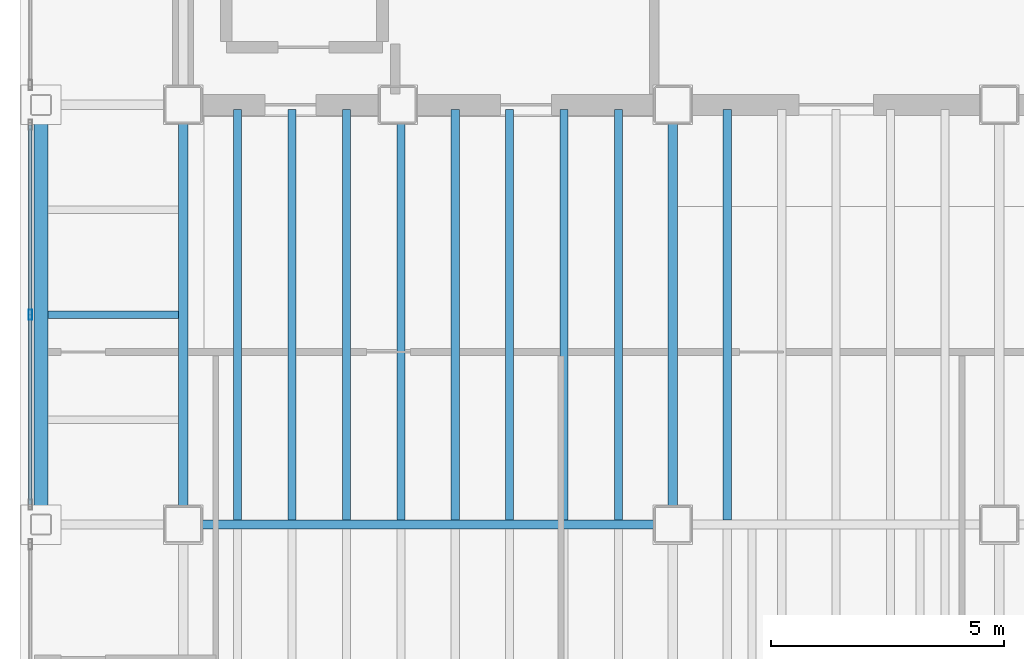
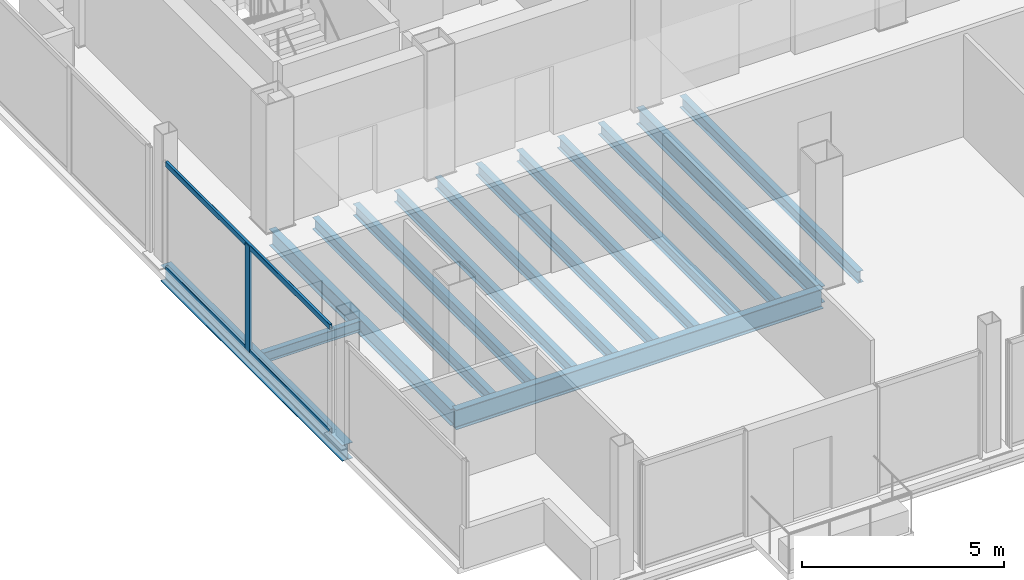
# One storey, part 3 of 15: 14 beams, 3 members, 1 element without a shape of its own.
"""IFC4 building model written with IfcOpenShell, lengths in metres."""

from ifc_helpers import new_model, si_unit, direction, frame, origin, origin_2d, place, context, subcontext, project, spatial, hollow_rectangle, i_section, extrude, material, material_profile, profile_set, type_object, element, aggregate, save


model = new_model("IFC4")

# Units and contexts
model_context = context("Model", 3, precision=1e-05, world=origin(), true_north=direction((0.0, 1.0)))
body_context = subcontext(model_context, "Body", "Model", "MODEL_VIEW")
ifc_project = project(units=[si_unit("LENGTHUNIT", "METRE"), si_unit("AREAUNIT", "SQUARE_METRE"), si_unit("VOLUMEUNIT", "CUBIC_METRE"), si_unit("PLANEANGLEUNIT", "RADIAN"), si_unit("MASSUNIT", "GRAM", prefix="KILO")], contexts=[model_context])

# Site, building, storey
site_placement = place(None, origin())
site = spatial("IfcSite", under=ifc_project, at=site_placement, CompositionType="ELEMENT")
building_placement = place(site_placement, origin())
building = spatial("IfcBuilding", under=site, at=building_placement, Name="Noeulbin Bourse Tower", CompositionType="ELEMENT")
storey_placement = place(building_placement, frame((0.0, 0.0, 211.10009765625)))
storey = spatial("IfcBuildingStorey", under=building, at=storey_placement, Name="L52", CompositionType="ELEMENT", Elevation=211.10009765625)

# Beams
ifc_material_1 = material(Name="Steel S355", Category="steel")
ifc_material_profile_1 = material_profile(ifc_material_1, i_section(OverallWidth=0.199951171875, OverallDepth=0.5, WebThickness=0.010009765625, FlangeThickness=0.01611328125, FilletRadius=0.02001953125, at=origin_2d()), Name="H-500x200x10x16", Category="LoadBearing")
ifc_profile_set_1 = profile_set([ifc_material_profile_1], Name="Steel S355")
beam_type_1 = type_object("IfcBeamType", Name="BM-GRD-500", PredefinedType="USERDEFINED", material=ifc_profile_set_1)
for number, where, z_axis, x_axis, name in (
    (1, (13.5, 20.0, -0.43017578125), (0.0, 1.0, 0.0), (-1.0, 0.0, 0.0), "Tower Primary Girder NS L52-1.2"),
    (2, (24.0, 20.0, -0.43017578125), (0.0, 1.0, 0.0), (-1.0, 0.0, 0.0), "Tower Primary Girder NS L52-2.2"),
):
    element("IfcBeam", number, at=place(storey_placement, frame(where, z_axis=z_axis, x_axis=x_axis)), inside=storey, type_object=beam_type_1, Name=name, ObjectType="GIRDER", PredefinedType="USERDEFINED", context=body_context, shape_type="SweptSolid", body=[
        extrude(i_section(OverallWidth=0.199951171875, OverallDepth=0.5, WebThickness=0.010009765625, FlangeThickness=0.01611328125, FilletRadius=0.02001953125, at=origin_2d()), origin(), (0.0, 0.0, 1.0), 9.0),
    ])
ifc_material_profile_2 = material_profile(ifc_material_1, i_section(OverallWidth=0.199951171875, OverallDepth=0.60009765625, WebThickness=0.010986328125, FlangeThickness=0.01708984375, FilletRadius=0.02197265625, at=origin_2d()), Name="H-600x200x11x17", Category="LoadBearing")
ifc_profile_set_2 = profile_set([ifc_material_profile_2], Name="Steel S355")
beam_type_2 = type_object("IfcBeamType", Name="BM-GRD-600", PredefinedType="USERDEFINED", material=ifc_profile_set_2)
beam_1_placement = place(storey_placement, frame((13.5, 20.0, -0.47998046875), z_axis=(1.0, 0.0, 0.0), x_axis=(0.0, 1.0, 0.0)))
element("IfcBeam", 3, at=beam_1_placement, inside=storey, type_object=beam_type_2, Name="Tower Primary Girder EW L52-1.2", ObjectType="GIRDER", PredefinedType="USERDEFINED", context=body_context, shape_type="SweptSolid", body=[
    extrude(i_section(OverallWidth=0.199951171875, OverallDepth=0.60009765625, WebThickness=0.010986328125, FlangeThickness=0.01708984375, FilletRadius=0.02197265625, at=origin_2d()), origin(), (0.0, 0.0, 1.0), 10.5),
])
ifc_material_profile_3 = material_profile(ifc_material_1, i_section(OverallWidth=0.159912109375, OverallDepth=0.320068359375, WebThickness=0.006591796875, FlangeThickness=0.010009765625, FilletRadius=0.012939453125, at=origin_2d()), Name="H-320x160x6.5x10", Category="LoadBearing")
ifc_profile_set_3 = profile_set([ifc_material_profile_3], Name="Steel S355")
beam_type_3 = type_object("IfcBeamType", Name="BM-JST-320", PredefinedType="JOIST", material=ifc_profile_set_3)
beam_2_placement = place(storey_placement, frame((10.60009765625, 24.5, -0.340087890625), z_axis=(1.0, 0.0, 0.0), x_axis=(0.0, 1.0, 0.0)))
element("IfcBeam", 4, at=beam_2_placement, inside=storey, type_object=beam_type_3, Name="Wing Composite Joist L52-W48", PredefinedType="JOIST", context=body_context, shape_type="SweptSolid", body=[
    extrude(i_section(OverallWidth=0.159912109375, OverallDepth=0.320068359375, WebThickness=0.006591796875, FlangeThickness=0.010009765625, FilletRadius=0.012939453125, at=origin_2d()), origin(), (0.0, 0.0, 1.0), 2.7998046875),
])
ifc_material_profile_4 = material_profile(ifc_material_1, i_section(OverallWidth=0.175048828125, OverallDepth=0.35009765625, WebThickness=0.007080078125, FlangeThickness=0.010986328125, FilletRadius=0.013916015625, at=origin_2d()), Name="H-350x175x7x11", Category="LoadBearing")
ifc_profile_set_4 = profile_set([ifc_material_profile_4], Name="Steel S355")
beam_type_4 = type_object("IfcBeamType", Name="BM-JST-350", PredefinedType="JOIST", material=ifc_profile_set_4)
for number, where, z_axis, x_axis, name in (
    (5, (14.666748046875, 20.10009765625, -0.35498046875), (0.0, 1.0, 0.0), (-1.0, 0.0, 0.0), "Tower Composite Joist L52-02"),
    (6, (15.833251953125, 20.10009765625, -0.35498046875), (0.0, 1.0, 0.0), (-1.0, 0.0, 0.0), "Tower Composite Joist L52-04"),
    (7, (17.0, 20.10009765625, -0.35498046875), (0.0, 1.0, 0.0), (-1.0, 0.0, 0.0), "Tower Composite Joist L52-06"),
    (8, (18.166748046875, 20.10009765625, -0.35498046875), (0.0, 1.0, 0.0), (-1.0, 0.0, 0.0), "Tower Composite Joist L52-08"),
    (9, (19.333251953125, 20.10009765625, -0.35498046875), (0.0, 1.0, 0.0), (-1.0, 0.0, 0.0), "Tower Composite Joist L52-10"),
    (10, (20.5, 20.10009765625, -0.35498046875), (0.0, 1.0, 0.0), (-1.0, 0.0, 0.0), "Tower Composite Joist L52-12"),
    (11, (21.666748046875, 20.10009765625, -0.35498046875), (0.0, 1.0, 0.0), (-1.0, 0.0, 0.0), "Tower Composite Joist L52-14"),
    (12, (22.833251953125, 20.10009765625, -0.35498046875), (0.0, 1.0, 0.0), (-1.0, 0.0, 0.0), "Tower Composite Joist L52-16"),
    (13, (25.166748046875, 20.10009765625, -0.35498046875), (0.0, 1.0, 0.0), (-1.0, 0.0, 0.0), "Tower Composite Joist L52-18"),
):
    element("IfcBeam", number, at=place(storey_placement, frame(where, z_axis=z_axis, x_axis=x_axis)), inside=storey, type_object=beam_type_4, Name=name, PredefinedType="JOIST", context=body_context, shape_type="SweptSolid", body=[
        extrude(i_section(OverallWidth=0.175048828125, OverallDepth=0.35009765625, WebThickness=0.007080078125, FlangeThickness=0.010986328125, FilletRadius=0.013916015625, at=origin_2d()), origin(), (0.0, 0.0, 1.0), 8.7998046875),
    ])
ifc_material_profile_5 = material_profile(ifc_material_1, i_section(OverallWidth=0.300048828125, OverallDepth=0.488037109375, WebThickness=0.010986328125, FlangeThickness=0.01806640625, FilletRadius=0.02197265625, at=origin_2d()), Name="H-488x300x11x18", Category="LoadBearing")
ifc_profile_set_5 = profile_set([ifc_material_profile_5], Name="Steel S355")
beam_type_5 = type_object("IfcBeamType", Name="BM-SPN-488", PredefinedType="SPANDREL", material=ifc_profile_set_5)
beam_3_placement = place(storey_placement, frame((10.449951171875, 20.0, -0.424072265625), z_axis=(0.0, 1.0, 0.0), x_axis=(-1.0, 0.0, 0.0)))
element("IfcBeam", 14, at=beam_3_placement, inside=storey, type_object=beam_type_5, Name="West Spandrel L52-1", PredefinedType="SPANDREL", context=body_context, shape_type="SweptSolid", body=[
    extrude(i_section(OverallWidth=0.300048828125, OverallDepth=0.488037109375, WebThickness=0.010986328125, FlangeThickness=0.01806640625, FilletRadius=0.02197265625, at=origin_2d()), origin(), (0.0, 0.0, 1.0), 9.0),
])

# Curtain wall, members
ifc_material_2 = material(Name="High-Selectivity Low-Iron Glazing", Category="glass")
curtain_wall_type = type_object("IfcCurtainWallType", Name="CW-SYS-4", PredefinedType="NOTDEFINED", material=ifc_material_2)
curtain_wall_placement = place(storey_placement, origin())
curtain_wall = element("IfcCurtainWall", 15, at=curtain_wall_placement, inside=storey, type_object=curtain_wall_type, Name="Unitised Curtain Wall CW-L52-W-S2", PredefinedType="NOTDEFINED")
ifc_material_3 = material(Name="Anodised Aluminium 6063-T6", Category="aluminium")
ifc_material_profile_6 = material_profile(ifc_material_3, hollow_rectangle(XDim=0.074951171875, YDim=0.219970703125, WallThickness=0.0048828125, InnerFilletRadius=0.00244140625, OuterFilletRadius=0.0048828125, at=origin_2d()), Name="ALU-MULL-75x220x5", Category="LoadBearing")
ifc_profile_set_6 = profile_set([ifc_material_profile_6], Name="Anodised Aluminium 6063-T6")
member_type_1 = type_object("IfcMemberType", Name="CW-SYS-4-MUL", PredefinedType="MULLION", material=ifc_profile_set_6)
member_1_placement = place(storey_placement, frame((10.219970703125, 24.5, -0.02001953125), z_axis=(0.0, 0.0, 1.0), x_axis=(1.0, 0.0, 0.0)))
member_1 = element("IfcMember", 16, at=member_1_placement, type_object=member_type_1, Name="Curtain Wall Mullion CW-L52-W-S2-M01", PredefinedType="MULLION", context=body_context, shape_type="SweptSolid", body=[
    extrude(hollow_rectangle(XDim=0.074951171875, YDim=0.219970703125, WallThickness=0.0048828125, InnerFilletRadius=0.00244140625, OuterFilletRadius=0.0048828125, at=origin_2d()), origin(), (0.0, 0.0, 1.0), 3.219970703125),
])
ifc_material_profile_7 = material_profile(ifc_material_3, hollow_rectangle(XDim=0.074951171875, YDim=0.159912109375, WallThickness=0.0048828125, InnerFilletRadius=0.00244140625, OuterFilletRadius=0.0048828125, at=origin_2d()), Name="ALU-TRAN-75x160x5", Category="LoadBearing")
ifc_profile_set_7 = profile_set([ifc_material_profile_7], Name="Anodised Aluminium 6063-T6")
member_type_2 = type_object("IfcMemberType", Name="CW-SYS-4-TRN", PredefinedType="USERDEFINED", material=ifc_profile_set_7)
member_2_placement = place(storey_placement, frame((10.219970703125, 20.43505859375, 0.010009765625), z_axis=(0.0, 1.0, 0.0), x_axis=(-1.0, 0.0, 0.0)))
member_2 = element("IfcMember", 17, at=member_2_placement, type_object=member_type_2, Name="Curtain Wall Transom CW-L52-W-S2-T00", ObjectType="TRANSOM", PredefinedType="USERDEFINED", context=body_context, shape_type="SweptSolid", body=[
    extrude(hollow_rectangle(XDim=0.074951171875, YDim=0.159912109375, WallThickness=0.0048828125, InnerFilletRadius=0.00244140625, OuterFilletRadius=0.0048828125, at=origin_2d()), origin(), (0.0, 0.0, 1.0), 8.1298828125),
])
member_3_placement = place(storey_placement, frame((10.219970703125, 20.43505859375, 3.169921875), z_axis=(0.0, 1.0, 0.0), x_axis=(-1.0, 0.0, 0.0)))
member_3 = element("IfcMember", 18, at=member_3_placement, type_object=member_type_2, Name="Curtain Wall Transom CW-L52-W-S2-T01", ObjectType="TRANSOM", PredefinedType="USERDEFINED", context=body_context, shape_type="SweptSolid", body=[
    extrude(hollow_rectangle(XDim=0.074951171875, YDim=0.159912109375, WallThickness=0.0048828125, InnerFilletRadius=0.00244140625, OuterFilletRadius=0.0048828125, at=origin_2d()), origin(), (0.0, 0.0, 1.0), 8.1298828125),
])
aggregate(curtain_wall, [member_1, member_2, member_3])

save(model, "model.ifc")
